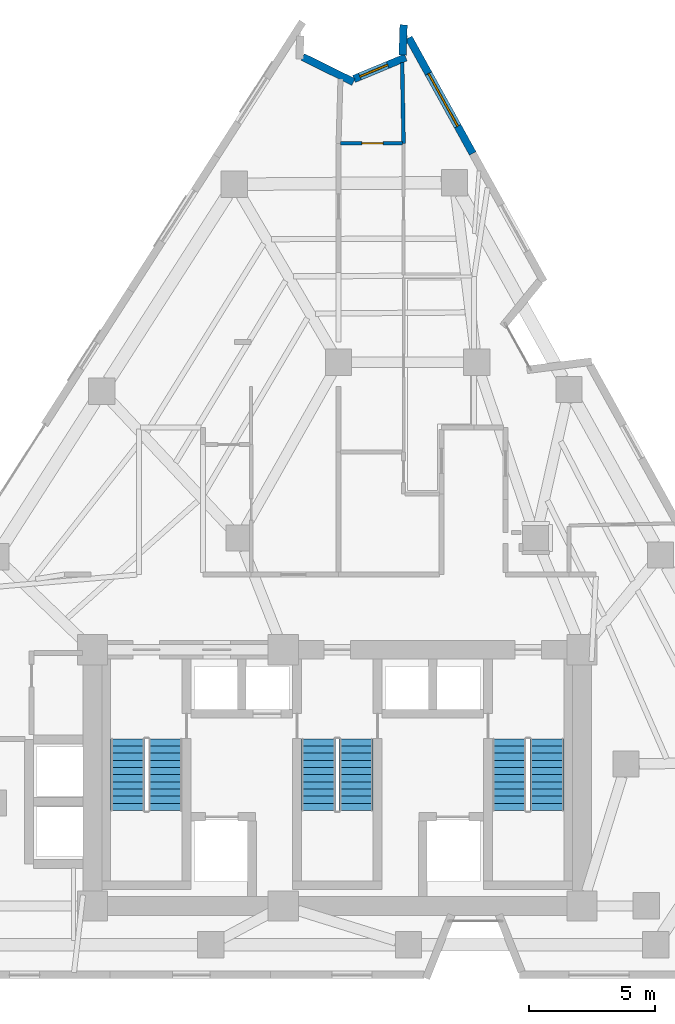
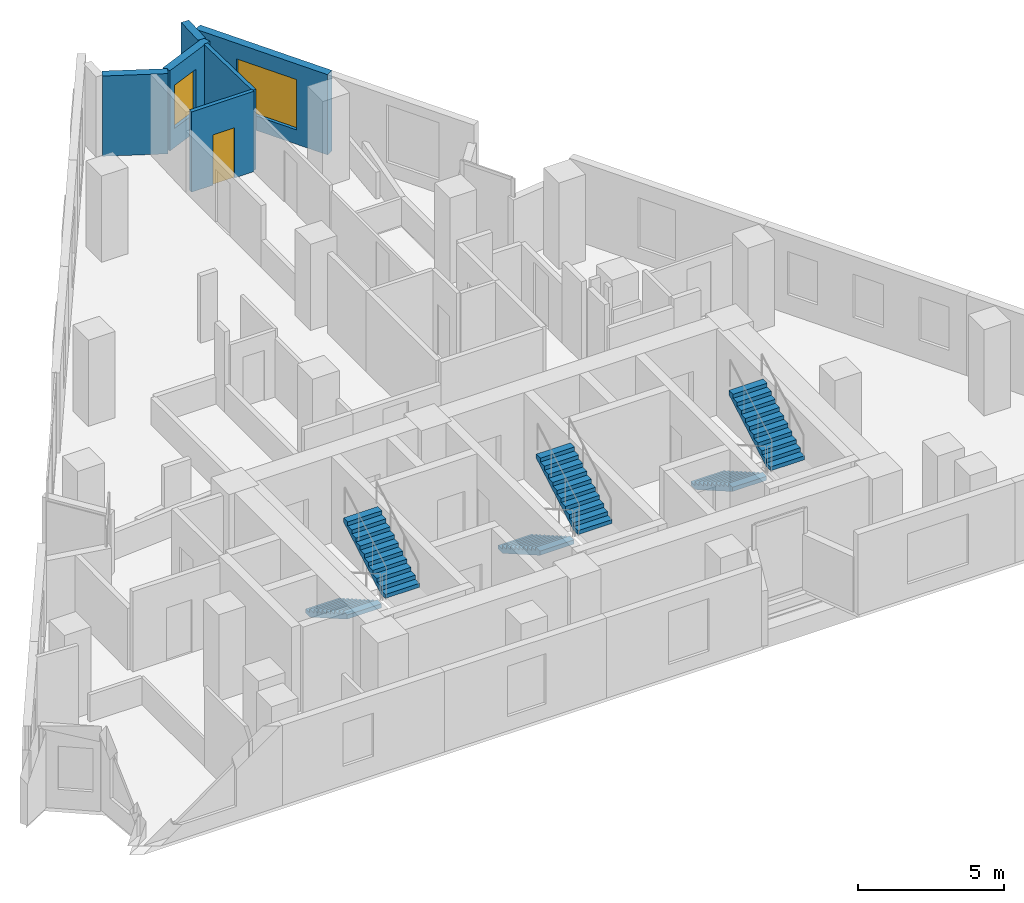
# One storey, part 8 of 10: 6 stair flights, 6 walls, 2 windows, 1 door, 3 openings, 3 elements without a shape of their own.
"""IFC4 building model written with IfcOpenShell, lengths in metres."""

from ifc_helpers import new_model, si_unit, direction, frame, frame_2d, origin, place, context, subcontext, project, spatial, polyline, rectangle, outline, extrude, material, layer, layer_set, type_object, element, fill, aggregate, save


model = new_model("IFC4")

# Units and contexts
model_context = context("Model", 3, precision=1e-05, world=origin(), true_north=direction((0.0, 1.0)))
body_context = subcontext(model_context, "Body", "Model", "MODEL_VIEW")
ifc_project = project(units=[si_unit("LENGTHUNIT", "METRE"), si_unit("AREAUNIT", "SQUARE_METRE"), si_unit("VOLUMEUNIT", "CUBIC_METRE"), si_unit("PLANEANGLEUNIT", "RADIAN"), si_unit("MASSUNIT", "GRAM", prefix="KILO")], contexts=[model_context])

# Site, building, storey
site_placement = place(None, origin())
site = spatial("IfcSite", under=ifc_project, at=site_placement, CompositionType="ELEMENT")
building_placement = place(site_placement, origin())
building = spatial("IfcBuilding", under=site, at=building_placement, Name="Almagre Mirador Tower", CompositionType="ELEMENT")
storey_placement = place(building_placement, frame((0.0, 0.0, 171.60009765625)))
storey = spatial("IfcBuildingStorey", under=building, at=storey_placement, Name="L44", CompositionType="ELEMENT", Elevation=171.60009765625)

# Wall
ifc_material_1 = material(Name="Precast concrete C50/60", Category="concrete")
ifc_layer_1 = layer(ifc_material_1, 0.300048828125)
ifc_layer_set_1 = layer_set([ifc_layer_1], Name="Precast concrete C50/60")
wall_type_1 = type_object("IfcWallType", Name="WAL-EXT-300", PredefinedType="SOLIDWALL", material=ifc_layer_set_1)
wall_1_placement = place(storey_placement, frame((35.928466796875, 38.35595703125, 0.0), z_axis=(0.0, 0.0, 1.0), x_axis=(0.896845505116, -0.442343915922, 0.0)))
element("IfcWall", 1, at=wall_1_placement, inside=storey, type_object=wall_type_1, Name="L44 expressed almagre precast frame wall 07", PredefinedType="SOLIDWALL", context=body_context, shape_type="SweptSolid", body=[
    extrude(rectangle(XDim=2.2490234375, YDim=0.300048828125, at=frame_2d((1.12451171875, 0.0))), origin(), (0.0, 0.0, 1.0), 3.349853515625),
])

# Wall, opening, window
wall_2_placement = place(storey_placement, frame((37.965087890625, 37.483154296875, 0.0), z_axis=(0.0, 0.0, 1.0), x_axis=(0.923525911383, 0.383536036123, 0.0)))
wall_2 = element("IfcWall", 2, at=wall_2_placement, inside=storey, type_object=wall_type_1, Name="L44 expressed almagre precast frame wall 08", PredefinedType="SOLIDWALL", context=body_context, shape_type="SweptSolid", body=[
    extrude(rectangle(XDim=2.23291015625, YDim=0.300048828125, at=frame_2d((1.116455078125, 0.0))), origin(), (0.0, 0.0, 1.0), 3.349853515625),
])
opening_1_placement = place(wall_2_placement, frame((0.2529296875, 0.0, 0.800048828125)))
opening_1 = element("IfcOpeningElement", 3, at=opening_1_placement, cuts=wall_2, Name="Opening WN-04", PredefinedType="OPENING", context=body_context, shape_type="SweptSolid", body=[
    extrude(rectangle(XDim=1.199951171875, YDim=1.800048828125, at=frame_2d((0.60009765625, 0.89990234375))), frame((0.0, 0.159902, 0.0), z_axis=(0.0, -1.0, 0.0), x_axis=(1.0, 0.0, 0.0)), (0.0, 0.0, 1.0), 0.320049),
])
ifc_material_2 = material(Name="Dark solar-control laminated hurricane glass", Category="glass")
window_type_1 = type_object("IfcWindowType", Name="WIN-1200X1800", PartitioningType="SINGLE_PANEL", PredefinedType="WINDOW", material=ifc_material_2)
window_1_placement = place(opening_1_placement, origin())
window_1 = element("IfcWindow", 4, at=window_1_placement, inside=storey, type_object=window_type_1, Name="L44 recessed hurricane window L44-UH-EN", OverallHeight=1.800048828125, OverallWidth=1.199951171875, PartitioningType="SINGLE_PANEL", PredefinedType="WINDOW", context=body_context, shape_type="SweptSolid", body=[
    extrude(rectangle(XDim=1.199951171875, YDim=1.800048828125, at=frame_2d((0.60009765625, 0.89990234375))), frame((0.0, 0.030029296875, 0.0), z_axis=(0.0, -1.0, 0.0), x_axis=(1.0, 0.0, 0.0)), (0.0, 0.0, 1.0), 0.06005859375),
])
fill(opening_1, window_1)

# Wall
wall_3_placement = place(storey_placement, frame((39.902587890625, 38.430908203125, 0.0), z_axis=(0.0, 0.0, 1.0), x_axis=(0.032091701063, 0.999484928712, 0.0)))
element("IfcWall", 5, at=wall_3_placement, inside=storey, type_object=wall_type_1, Name="L44 expressed almagre precast frame wall 09", PredefinedType="SOLIDWALL", context=body_context, shape_type="SweptSolid", body=[
    extrude(rectangle(XDim=1.209716796875, YDim=0.300048828125, at=frame_2d((0.60498046875, 0.0))), origin(), (0.0, 0.0, 1.0), 3.349853515625),
])

# Wall, opening, window
wall_4_placement = place(storey_placement, frame((40.147705078125, 39.119384765625, 0.0), z_axis=(0.0, 0.0, 1.0), x_axis=(0.484195973422, -0.874959575822, 0.0)))
wall_4 = element("IfcWall", 6, at=wall_4_placement, inside=storey, type_object=wall_type_1, Name="L44 expressed almagre precast frame wall 10", PredefinedType="SOLIDWALL", context=body_context, shape_type="SweptSolid", body=[
    extrude(rectangle(XDim=5.260009765625, YDim=0.300048828125, at=frame_2d((2.6298828125, 0.0))), origin(), (0.0, 0.0, 1.0), 3.349853515625),
])
opening_2_placement = place(wall_4_placement, frame((1.625, 0.0, 0.60009765625)))
opening_2 = element("IfcOpeningElement", 7, at=opening_2_placement, cuts=wall_4, Name="Opening WN-02", PredefinedType="OPENING", context=body_context, shape_type="SweptSolid", body=[
    extrude(rectangle(XDim=2.39990234375, YDim=2.10009765625, at=frame_2d((1.199951171875, 1.050048828125))), frame((0.0, 0.159902, 0.0), z_axis=(0.0, -1.0, 0.0), x_axis=(1.0, 0.0, 0.0)), (0.0, 0.0, 1.0), 0.320049),
])
ifc_material_3 = material(Name="Dark solar-control laminated hurricane glass", Category="glass")
window_type_2 = type_object("IfcWindowType", Name="WIN-2400X2100", PartitioningType="TRIPLE_PANEL_VERTICAL", PredefinedType="WINDOW", material=ifc_material_3)
window_2_placement = place(opening_2_placement, origin())
window_2 = element("IfcWindow", 8, at=window_2_placement, inside=storey, type_object=window_type_2, Name="L44 recessed hurricane window L44-UH-KT", OverallHeight=2.10009765625, OverallWidth=2.39990234375, PartitioningType="SINGLE_PANEL", PredefinedType="WINDOW", context=body_context, shape_type="SweptSolid", body=[
    extrude(rectangle(XDim=2.39990234375, YDim=2.10009765625, at=frame_2d((1.199951171875, 1.050048828125))), frame((0.0, 0.030029296875, 0.0), z_axis=(0.0, -1.0, 0.0), x_axis=(1.0, 0.0, 0.0)), (0.0, 0.0, 1.0), 0.06005859375),
])
fill(opening_2, window_2)

# Wall
ifc_material_4 = material(Name="Gypsum acoustic stud partition", Category="other")
ifc_layer_2 = layer(ifc_material_4, 0.14990234375)
ifc_layer_set_2 = layer_set([ifc_layer_2], Name="Gypsum acoustic stud partition")
wall_type_2 = type_object("IfcWallType", Name="WAL-PRT-150-STD", PredefinedType="PARTITIONING", material=ifc_layer_set_2)
wall_5_placement = place(storey_placement, frame((39.88427734375, 38.135009765625, 0.0), z_axis=(0.0, 0.0, 1.0), x_axis=(0.017310793211, -0.999850156993, 0.0)))
element("IfcWall", 9, at=wall_5_placement, inside=storey, type_object=wall_type_2, Name="L44 interior partition 071", PredefinedType="PARTITIONING", context=body_context, shape_type="SweptSolid", body=[
    extrude(rectangle(XDim=3.215576171875, YDim=0.14990234375, at=frame_2d((1.60791015625, 0.0))), origin(), (0.0, 0.0, 1.0), 3.349853515625),
])

# Wall, opening, door
wall_6_placement = place(storey_placement, frame((39.892578125, 34.919921875, 0.0), z_axis=(0.0, 0.0, 1.0), x_axis=(-1.0, 0.0, 0.0)))
wall_6 = element("IfcWall", 10, at=wall_6_placement, inside=storey, type_object=wall_type_2, Name="L44 interior partition 072", PredefinedType="PARTITIONING", context=body_context, shape_type="SweptSolid", body=[
    extrude(rectangle(XDim=2.45751953125, YDim=0.14990234375, at=frame_2d((1.228759765625, 0.0))), origin(), (0.0, 0.0, 1.0), 3.349853515625),
])
opening_3_placement = place(wall_6_placement, frame((0.766357421875, 0.0, 0.0)))
opening_3 = element("IfcOpeningElement", 11, at=opening_3_placement, cuts=wall_6, Name="Opening UD-04", PredefinedType="OPENING", context=body_context, shape_type="SweptSolid", body=[
    extrude(rectangle(XDim=0.85009765625, YDim=2.10009765625, at=frame_2d((0.425048828125, 1.050048828125))), frame((0.0, 0.084951, 0.0), z_axis=(0.0, -1.0, 0.0), x_axis=(1.0, 0.0, 0.0)), (0.0, 0.0, 1.0), 0.169902),
])
ifc_material_5 = material(Name="Moisture-resistant oak timber", Category="wood")
door_type = type_object("IfcDoorType", Name="DOR-UNR-850X2100", OperationType="NOTDEFINED", PredefinedType="DOOR", material=ifc_material_5)
door_placement = place(opening_3_placement, origin())
door = element("IfcDoor", 12, at=door_placement, inside=storey, type_object=door_type, Name="DR-1418 L44 interior door L44-UH-MB to L44-UH-EN", OperationType="SINGLE_SWING_LEFT", OverallHeight=2.10009765625, OverallWidth=0.85009765625, PredefinedType="DOOR", context=body_context, shape_type="SweptSolid", body=[
    extrude(rectangle(XDim=0.85009765625, YDim=2.10009765625, at=frame_2d((0.425048828125, 1.050048828125))), frame((0.0, 0.02490234375, 0.0), z_axis=(0.0, -1.0, 0.0), x_axis=(1.0, 0.0, 0.0)), (0.0, 0.0, 1.0), 0.050048828125),
])
fill(opening_3, door)

# Stair, stair flights
ifc_material_6 = material(Name="Concrete C45/55", Category="concrete")
stair_type = type_object("IfcStairType", Name="STR-DL-3600", PredefinedType="HALF_TURN_STAIR", material=ifc_material_6)
stair_1_placement = place(storey_placement, origin())
stair_1 = element("IfcStair", 13, at=stair_1_placement, inside=storey, type_object=stair_type, Name="L44 Protected exit stair ST-1", PredefinedType="HALF_TURN_STAIR")
ifc_material_7 = material(Name="Concrete C45/55", Category="concrete")
stair_flight_type = type_object("IfcStairFlightType", Name="FLT-DL-3600", PredefinedType="STRAIGHT", material=ifc_material_7)
stair_flight_1_placement = place(storey_placement, frame((28.949951171875, 11.199951171875, 0.0), z_axis=(0.0, 0.0, 1.0), x_axis=(0.0, -1.0, 0.0)))
stair_flight_1 = element("IfcStairFlight", 14, at=stair_flight_1_placement, type_object=stair_flight_type, Name="ST-1 flight 1", NumberOfRisers=11, NumberOfTreads=10, PredefinedType="STRAIGHT", RiserHeight=0.163636364, TreadLength=0.285, context=body_context, shape_type="SweptSolid", body=[
    extrude(outline(polyline([(0.0, 0.0), (0.0, 0.16357421875), (0.284912109375, 0.16357421875), (0.284912109375, 0.327392578125), (0.570068359375, 0.327392578125), (0.570068359375, 0.490966796875), (0.85498046875, 0.490966796875), (0.85498046875, 0.654541015625), (1.139892578125, 0.654541015625), (1.139892578125, 0.818115234375), (1.425048828125, 0.818115234375), (1.425048828125, 0.98193359375), (1.7099609375, 0.98193359375), (1.7099609375, 1.1455078125), (1.9951171875, 1.1455078125), (1.9951171875, 1.30908203125), (2.280029296875, 1.30908203125), (2.280029296875, 1.47265625), (2.56494140625, 1.47265625), (2.56494140625, 1.636474609375), (2.85009765625, 1.636474609375), (2.85009765625, 1.800048828125), (2.85009765625, 1.463623046875), (0.301025390625, 0.0), (0.0, 0.0)])), frame((0.0, 0.675048828125, 0.0), z_axis=(0.0, -1.0, 0.0), x_axis=(1.0, 0.0, 0.0)), (0.0, 0.0, 1.0), 1.35009765625),
])
stair_flight_2_placement = place(storey_placement, frame((30.449951171875, 8.35009765625, 1.7998046875), z_axis=(0.0, 0.0, 1.0), x_axis=(0.0, 1.0, 0.0)))
stair_flight_2 = element("IfcStairFlight", 15, at=stair_flight_2_placement, type_object=stair_flight_type, Name="ST-1 flight 2", NumberOfRisers=11, NumberOfTreads=10, PredefinedType="STRAIGHT", RiserHeight=0.163636364, TreadLength=0.285, context=body_context, shape_type="SweptSolid", body=[
    extrude(outline(polyline([(0.0, 0.0), (0.0, 0.16357421875), (0.284912109375, 0.16357421875), (0.284912109375, 0.327392578125), (0.570068359375, 0.327392578125), (0.570068359375, 0.490966796875), (0.85498046875, 0.490966796875), (0.85498046875, 0.654541015625), (1.139892578125, 0.654541015625), (1.139892578125, 0.818115234375), (1.425048828125, 0.818115234375), (1.425048828125, 0.98193359375), (1.7099609375, 0.98193359375), (1.7099609375, 1.1455078125), (1.9951171875, 1.1455078125), (1.9951171875, 1.30908203125), (2.280029296875, 1.30908203125), (2.280029296875, 1.47265625), (2.56494140625, 1.47265625), (2.56494140625, 1.636474609375), (2.85009765625, 1.636474609375), (2.85009765625, 1.800048828125), (2.85009765625, 1.463623046875), (0.301025390625, 0.0), (0.0, 0.0)])), frame((0.0, 0.675048828125, 0.0), z_axis=(0.0, -1.0, 0.0), x_axis=(1.0, 0.0, 0.0)), (0.0, 0.0, 1.0), 1.35009765625),
])
aggregate(stair_1, [stair_flight_1, stair_flight_2])

stair_2_placement = place(storey_placement, origin())
stair_2 = element("IfcStair", 16, at=stair_2_placement, inside=storey, type_object=stair_type, Name="L44 Protected exit stair ST-2", PredefinedType="HALF_TURN_STAIR")
stair_flight_3_placement = place(storey_placement, frame((36.550048828125, 11.199951171875, 0.0), z_axis=(0.0, 0.0, 1.0), x_axis=(0.0, -1.0, 0.0)))
stair_flight_3 = element("IfcStairFlight", 17, at=stair_flight_3_placement, type_object=stair_flight_type, Name="ST-2 flight 1", NumberOfRisers=11, NumberOfTreads=10, PredefinedType="STRAIGHT", RiserHeight=0.163636364, TreadLength=0.285, context=body_context, shape_type="SweptSolid", body=[
    extrude(outline(polyline([(0.0, 0.0), (0.0, 0.16357421875), (0.284912109375, 0.16357421875), (0.284912109375, 0.327392578125), (0.570068359375, 0.327392578125), (0.570068359375, 0.490966796875), (0.85498046875, 0.490966796875), (0.85498046875, 0.654541015625), (1.139892578125, 0.654541015625), (1.139892578125, 0.818115234375), (1.425048828125, 0.818115234375), (1.425048828125, 0.98193359375), (1.7099609375, 0.98193359375), (1.7099609375, 1.1455078125), (1.9951171875, 1.1455078125), (1.9951171875, 1.30908203125), (2.280029296875, 1.30908203125), (2.280029296875, 1.47265625), (2.56494140625, 1.47265625), (2.56494140625, 1.636474609375), (2.85009765625, 1.636474609375), (2.85009765625, 1.800048828125), (2.85009765625, 1.463623046875), (0.301025390625, 0.0), (0.0, 0.0)])), frame((0.0, 0.675048828125, 0.0), z_axis=(0.0, -1.0, 0.0), x_axis=(1.0, 0.0, 0.0)), (0.0, 0.0, 1.0), 1.35009765625),
])
stair_flight_4_placement = place(storey_placement, frame((38.050048828125, 8.35009765625, 1.7998046875), z_axis=(0.0, 0.0, 1.0), x_axis=(0.0, 1.0, 0.0)))
stair_flight_4 = element("IfcStairFlight", 18, at=stair_flight_4_placement, type_object=stair_flight_type, Name="ST-2 flight 2", NumberOfRisers=11, NumberOfTreads=10, PredefinedType="STRAIGHT", RiserHeight=0.163636364, TreadLength=0.285, context=body_context, shape_type="SweptSolid", body=[
    extrude(outline(polyline([(0.0, 0.0), (0.0, 0.16357421875), (0.284912109375, 0.16357421875), (0.284912109375, 0.327392578125), (0.570068359375, 0.327392578125), (0.570068359375, 0.490966796875), (0.85498046875, 0.490966796875), (0.85498046875, 0.654541015625), (1.139892578125, 0.654541015625), (1.139892578125, 0.818115234375), (1.425048828125, 0.818115234375), (1.425048828125, 0.98193359375), (1.7099609375, 0.98193359375), (1.7099609375, 1.1455078125), (1.9951171875, 1.1455078125), (1.9951171875, 1.30908203125), (2.280029296875, 1.30908203125), (2.280029296875, 1.47265625), (2.56494140625, 1.47265625), (2.56494140625, 1.636474609375), (2.85009765625, 1.636474609375), (2.85009765625, 1.800048828125), (2.85009765625, 1.463623046875), (0.301025390625, 0.0), (0.0, 0.0)])), frame((0.0, 0.675048828125, 0.0), z_axis=(0.0, -1.0, 0.0), x_axis=(1.0, 0.0, 0.0)), (0.0, 0.0, 1.0), 1.35009765625),
])
aggregate(stair_2, [stair_flight_3, stair_flight_4])

stair_3_placement = place(storey_placement, origin())
stair_3 = element("IfcStair", 19, at=stair_3_placement, inside=storey, type_object=stair_type, Name="L44 Protected exit stair ST-3", PredefinedType="HALF_TURN_STAIR")
stair_flight_5_placement = place(storey_placement, frame((44.14990234375, 11.199951171875, 0.0), z_axis=(0.0, 0.0, 1.0), x_axis=(0.0, -1.0, 0.0)))
stair_flight_5 = element("IfcStairFlight", 20, at=stair_flight_5_placement, type_object=stair_flight_type, Name="ST-3 flight 1", NumberOfRisers=11, NumberOfTreads=10, PredefinedType="STRAIGHT", RiserHeight=0.163636364, TreadLength=0.285, context=body_context, shape_type="SweptSolid", body=[
    extrude(outline(polyline([(0.0, 0.0), (0.0, 0.16357421875), (0.284912109375, 0.16357421875), (0.284912109375, 0.327392578125), (0.570068359375, 0.327392578125), (0.570068359375, 0.490966796875), (0.85498046875, 0.490966796875), (0.85498046875, 0.654541015625), (1.139892578125, 0.654541015625), (1.139892578125, 0.818115234375), (1.425048828125, 0.818115234375), (1.425048828125, 0.98193359375), (1.7099609375, 0.98193359375), (1.7099609375, 1.1455078125), (1.9951171875, 1.1455078125), (1.9951171875, 1.30908203125), (2.280029296875, 1.30908203125), (2.280029296875, 1.47265625), (2.56494140625, 1.47265625), (2.56494140625, 1.636474609375), (2.85009765625, 1.636474609375), (2.85009765625, 1.800048828125), (2.85009765625, 1.463623046875), (0.301025390625, 0.0), (0.0, 0.0)])), frame((0.0, 0.675048828125, 0.0), z_axis=(0.0, -1.0, 0.0), x_axis=(1.0, 0.0, 0.0)), (0.0, 0.0, 1.0), 1.35009765625),
])
stair_flight_6_placement = place(storey_placement, frame((45.64990234375, 8.35009765625, 1.7998046875), z_axis=(0.0, 0.0, 1.0), x_axis=(0.0, 1.0, 0.0)))
stair_flight_6 = element("IfcStairFlight", 21, at=stair_flight_6_placement, type_object=stair_flight_type, Name="ST-3 flight 2", NumberOfRisers=11, NumberOfTreads=10, PredefinedType="STRAIGHT", RiserHeight=0.163636364, TreadLength=0.285, context=body_context, shape_type="SweptSolid", body=[
    extrude(outline(polyline([(0.0, 0.0), (0.0, 0.16357421875), (0.284912109375, 0.16357421875), (0.284912109375, 0.327392578125), (0.570068359375, 0.327392578125), (0.570068359375, 0.490966796875), (0.85498046875, 0.490966796875), (0.85498046875, 0.654541015625), (1.139892578125, 0.654541015625), (1.139892578125, 0.818115234375), (1.425048828125, 0.818115234375), (1.425048828125, 0.98193359375), (1.7099609375, 0.98193359375), (1.7099609375, 1.1455078125), (1.9951171875, 1.1455078125), (1.9951171875, 1.30908203125), (2.280029296875, 1.30908203125), (2.280029296875, 1.47265625), (2.56494140625, 1.47265625), (2.56494140625, 1.636474609375), (2.85009765625, 1.636474609375), (2.85009765625, 1.800048828125), (2.85009765625, 1.463623046875), (0.301025390625, 0.0), (0.0, 0.0)])), frame((0.0, 0.675048828125, 0.0), z_axis=(0.0, -1.0, 0.0), x_axis=(1.0, 0.0, 0.0)), (0.0, 0.0, 1.0), 1.35009765625),
])
aggregate(stair_3, [stair_flight_5, stair_flight_6])

save(model, "model.ifc")
